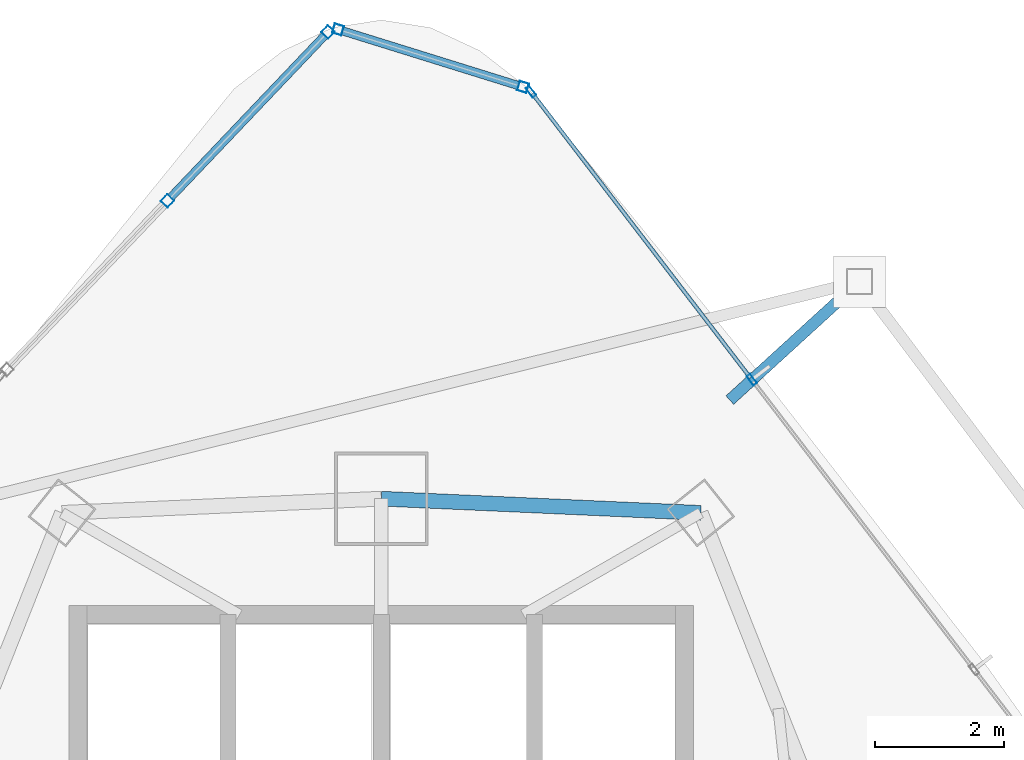
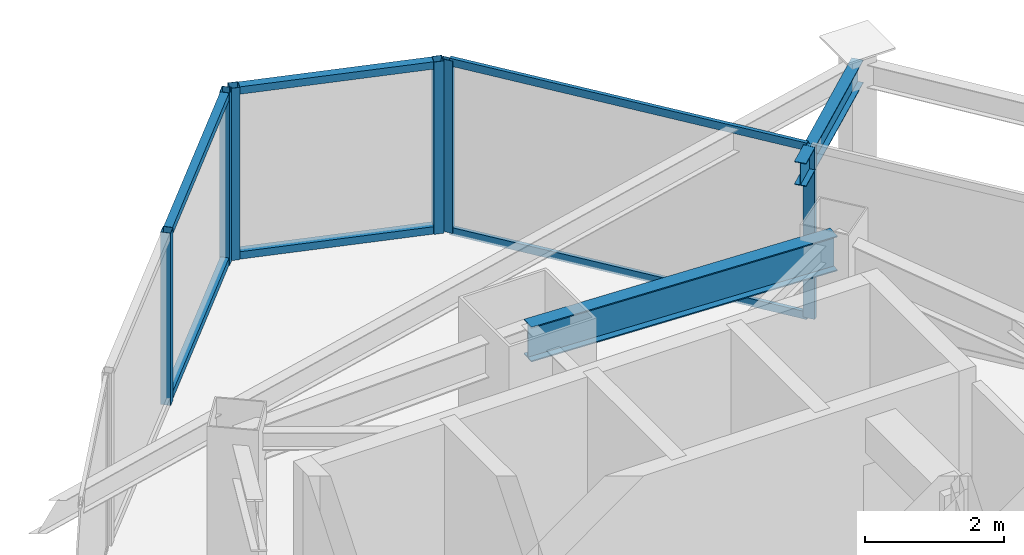
# One storey, part 22 of 30: 12 members, 2 beams, 3 elements without a shape of their own.
"""IFC4 building model written with IfcOpenShell, lengths in metres."""

import ifcopenshell
import ifcopenshell.guid

model = None  # the IFC model being written
_history = None  # IfcOwnerHistory: only IFC2X3 demands one
_inside = {}  # id of a spatial element -> (the spatial element, [elements in it])
_under = {}  # id of a project, library or spatial element -> (it, [spatial elements below it])
_declared = {}  # id of a project -> (the project, [libraries it declares])
_typed = {}  # id of a type object -> (the type object, [elements of that type])
_made_of = {}  # id of a material, layer set ... -> (it, [elements and type objects made of it])


def new_model(schema):
    """Start an empty IFC model of exactly this schema.

    Asked for "IFC4X3", IfcOpenShell would pick the latest addendum, in which some entities
    have other attributes; the version numbers below select the first issue.
    IFC2X3 requires an IfcOwnerHistory on every rooted entity: one is made here for all.
    """
    global model, _history
    if schema == "IFC4X3":
        model = ifcopenshell.file(schema_version=(4, 3, 0, 0))
    else:
        model = ifcopenshell.file(schema=schema)
    _inside.clear()
    _under.clear()
    _declared.clear()
    _typed.clear()
    _made_of.clear()
    _history = None
    if model.schema == "IFC2X3":
        org = make("IfcOrganization", Name="unknown")
        user = make(
            "IfcPersonAndOrganization",
            ThePerson=make("IfcPerson", FamilyName="unknown"),
            TheOrganization=org,
        )
        app = make(
            "IfcApplication",
            ApplicationDeveloper=org,
            Version="unknown",
            ApplicationFullName="unknown",
            ApplicationIdentifier="unknown",
        )
        _history = make(
            "IfcOwnerHistory",
            OwningUser=user,
            OwningApplication=app,
            ChangeAction="ADDED",
            CreationDate=0,
        )
    return model


def make(cls, **values):
    """One entity of the class cls with the attributes given. An attribute that is None is left unset."""
    return model.create_entity(
        cls, **{name: value for name, value in values.items() if value is not None}
    )


def rooted(cls, **values):
    """An entity with a GlobalId (a new one), such as an element, a storey or a relation."""
    return make(cls, GlobalId=ifcopenshell.guid.new(), OwnerHistory=_history, **values)


def si_unit(unit_type, name, prefix=None):
    """IfcSIUnit, for example si_unit("LENGTHUNIT", "METRE", prefix="MILLI")."""
    return make("IfcSIUnit", UnitType=unit_type, Prefix=prefix, Name=name)


def assignment(units):
    """IfcUnitAssignment: the units of a project."""
    return None if units is None else make("IfcUnitAssignment", Units=units)


def point(xyz):
    """IfcCartesianPoint."""
    return None if xyz is None else make("IfcCartesianPoint", Coordinates=xyz)


def direction(xyz):
    """IfcDirection."""
    return None if xyz is None else make("IfcDirection", DirectionRatios=xyz)


def frame(location, z_axis=None, x_axis=None):
    """IfcAxis2Placement3D, a coordinate frame: its origin and axes. An axis left out is left unset."""
    return make(
        "IfcAxis2Placement3D",
        Location=point(location),
        Axis=direction(z_axis),
        RefDirection=direction(x_axis),
    )


def frame_2d(location, x_axis=None):
    """IfcAxis2Placement2D, a coordinate frame in the plane: its origin and x axis."""
    return make(
        "IfcAxis2Placement2D", Location=point(location), RefDirection=direction(x_axis)
    )


def origin():
    """The frame at (0, 0, 0) with its axes left unset."""
    return frame((0.0, 0.0, 0.0))


def origin_2d():
    """The frame at (0, 0) in the plane with its x axis left unset."""
    return frame_2d((0.0, 0.0))


def place(relative_to, where):
    """IfcLocalPlacement: puts the frame where relative to a parent placement (None: the world)."""
    return make(
        "IfcLocalPlacement", PlacementRelTo=relative_to, RelativePlacement=where
    )


def context(
    kind, dimensions, precision=None, world=None, true_north=None, identifier=None
):
    """IfcGeometricRepresentationContext, for example the 3D "Model" context."""
    return make(
        "IfcGeometricRepresentationContext",
        ContextIdentifier=identifier,
        ContextType=kind,
        CoordinateSpaceDimension=dimensions,
        Precision=precision,
        WorldCoordinateSystem=world,
        TrueNorth=true_north,
    )


def subcontext(parent, identifier, kind, view, scale=None):
    """IfcGeometricRepresentationSubContext, for example "Body" below "Model"."""
    return make(
        "IfcGeometricRepresentationSubContext",
        ContextIdentifier=identifier,
        ContextType=kind,
        ParentContext=parent,
        TargetScale=scale,
        TargetView=view,
    )


def project(units=None, contexts=None):
    """IfcProject with its units and contexts."""
    return rooted(
        "IfcProject",
        Name="project",
        RepresentationContexts=contexts,
        UnitsInContext=assignment(units),
    )


def spatial(cls, under=None, at=None, **own):
    """A site, building, storey or space (cls), placed at a placement, below another one or the project."""
    s = rooted(cls, ObjectPlacement=at, **own)
    if under is not None:
        _under.setdefault(under.id(), (under, []))[1].append(s)
    return s


def profile(cls, at=None, kind="AREA", **sizes):
    """A parametric profile (cls). Its sizes go by their IFC names, for example OverallWidth=200.0."""
    return make(cls, ProfileType=kind, Position=at, **sizes)


def hollow_rectangle(**sizes):
    """IfcRectangleHollowProfileDef."""
    return profile("IfcRectangleHollowProfileDef", **sizes)


def i_section(**sizes):
    """IfcIShapeProfileDef."""
    return profile("IfcIShapeProfileDef", **sizes)


def extrude(swept, where, along, depth):
    """IfcExtrudedAreaSolid: the profile swept, set in the frame where, extruded along a direction by depth."""
    return make(
        "IfcExtrudedAreaSolid",
        SweptArea=swept,
        Position=where,
        ExtrudedDirection=direction(along),
        Depth=depth,
    )


def shape(context_of_items, identifier, shape_type, items):
    """IfcShapeRepresentation: the items that make up one representation, for example the "Body"."""
    return make(
        "IfcShapeRepresentation",
        ContextOfItems=context_of_items,
        RepresentationIdentifier=identifier,
        RepresentationType=shape_type,
        Items=items,
    )


def material(Name=None, Category=None):
    """IfcMaterial."""
    return make("IfcMaterial", Name=Name, Category=Category)


def layer(
    of_material, thickness, ventilated=None, Name=None, Category=None, Priority=None
):
    """IfcMaterialLayer: one layer of a wall or slab, of a material (None: an air gap)."""
    return make(
        "IfcMaterialLayer",
        Material=of_material,
        LayerThickness=thickness,
        IsVentilated=ventilated,
        Name=Name,
        Category=Category,
        Priority=Priority,
    )


def layer_set(layers, Name=None):
    """IfcMaterialLayerSet."""
    return make("IfcMaterialLayerSet", MaterialLayers=layers, LayerSetName=Name)


def material_profile(
    of_material, cross_section, Name=None, Category=None, Priority=None
):
    """IfcMaterialProfile: a cross section and its material."""
    return make(
        "IfcMaterialProfile",
        Name=Name,
        Material=of_material,
        Profile=cross_section,
        Priority=Priority,
        Category=Category,
    )


def profile_set(profiles, Name=None, composite=None):
    """IfcMaterialProfileSet."""
    return make(
        "IfcMaterialProfileSet",
        Name=Name,
        MaterialProfiles=profiles,
        CompositeProfile=composite,
    )


def made_of(thing, what):
    """Note that an element or type object is made of a material, layer set ...; save() writes the relation."""
    if what is not None:
        _made_of.setdefault(what.id(), (what, []))[1].append(thing)
    return thing


def type_object(cls, material=None, **own):
    """A type object (cls), such as IfcWallType, which elements share."""
    return made_of(rooted(cls, **own), material)


def element(
    cls,
    number,
    at=None,
    inside=None,
    cuts=None,
    type_object=None,
    material=None,
    context=None,
    identifier="Body",
    shape_type=None,
    held_by="IfcProductDefinitionShape",
    body=None,
    shapes=None,
    **own,
):
    """One element of the class cls, such as IfcWall. Its Tag is "e" and its number.

    at: its placement. inside: the storey or other place that contains it. cuts: it is an
    opening in that element (IfcRelVoidsElement). A single representation is given by context,
    identifier, shape_type and body (its items); several are given by shapes. held_by: the class
    of the entity that holds the representations. save() writes the other relations.
    """
    e = rooted(cls, Tag="e%d" % number, ObjectPlacement=at, **own)
    if body is not None:
        shapes = [shape(context, identifier, shape_type, body)]
    if shapes is not None:
        e.Representation = make(held_by, Representations=shapes)
    if inside is not None:
        _inside.setdefault(inside.id(), (inside, []))[1].append(e)
    if cuts is not None:
        rooted(
            "IfcRelVoidsElement", RelatingBuildingElement=cuts, RelatedOpeningElement=e
        )
    if type_object is not None:
        _typed.setdefault(type_object.id(), (type_object, []))[1].append(e)
    return made_of(e, material)


def aggregate(whole, parts):
    """IfcRelAggregates: a whole, such as a stair, and the parts it consists of."""
    return rooted("IfcRelAggregates", RelatingObject=whole, RelatedObjects=parts)


def save(model, path):
    """Write the relations noted so far, then the file.

    IfcRelAggregates (storeys below a building ...), IfcRelContainedInSpatialStructure (elements
    in a storey), IfcRelDefinesByType, IfcRelAssociatesMaterial and IfcRelDeclares: one each for
    every whole, place, type object, material and project.
    """
    for whole, parts in _under.values():
        aggregate(whole, parts)
    for where, things in _inside.values():
        rooted(
            "IfcRelContainedInSpatialStructure",
            RelatedElements=things,
            RelatingStructure=where,
        )
    for kind, things in _typed.values():
        rooted("IfcRelDefinesByType", RelatedObjects=things, RelatingType=kind)
    for what, things in _made_of.values():
        rooted("IfcRelAssociatesMaterial", RelatedObjects=things, RelatingMaterial=what)
    for by, libraries in _declared.values():
        rooted("IfcRelDeclares", RelatingContext=by, RelatedDefinitions=libraries)
    model.write(path)


model = new_model("IFC4")

# Units and contexts
model_context = context("Model", 3, precision=1e-05, world=origin(), true_north=direction((0.0, 1.0)))
body_context = subcontext(model_context, "Body", "Model", "MODEL_VIEW")
ifc_project = project(units=[si_unit("LENGTHUNIT", "METRE"), si_unit("AREAUNIT", "SQUARE_METRE"), si_unit("VOLUMEUNIT", "CUBIC_METRE"), si_unit("PLANEANGLEUNIT", "RADIAN"), si_unit("MASSUNIT", "GRAM", prefix="KILO")], contexts=[model_context])

# Site, building, storey
site_placement = place(None, origin())
site = spatial("IfcSite", under=ifc_project, at=site_placement, CompositionType="ELEMENT")
building_placement = place(site_placement, origin())
building = spatial("IfcBuilding", under=site, at=building_placement, Name="Orvanel Arch Residences", CompositionType="ELEMENT")
storey_placement = place(building_placement, frame((0.0, 0.0, 143.0)))
storey = spatial("IfcBuildingStorey", under=building, at=storey_placement, Name="L40", CompositionType="ELEMENT", Elevation=143.0)

# Curtain wall, members
ifc_material_1 = material(Name="Bronze-anodised aluminium AA6063-T6", Category="aluminium")
ifc_layer_1 = layer(ifc_material_1, 0.18994140625)
ifc_layer_set_1 = layer_set([ifc_layer_1], Name="Bronze-anodised aluminium AA6063-T6")
curtain_wall_type_1 = type_object("IfcCurtainWallType", Name="CW5-CRN-SYS", PredefinedType="NOTDEFINED", material=ifc_layer_set_1)
curtain_wall_1_placement = place(storey_placement, origin())
curtain_wall_1 = element("IfcCurtainWall", 1, at=curtain_wall_1_placement, inside=storey, type_object=curtain_wall_type_1, Name="L40 CW5-CRN-SYS Unitised Curtain Wall", PredefinedType="NOTDEFINED")
ifc_material_profile_1 = material_profile(ifc_material_1, hollow_rectangle(XDim=0.14990234375, YDim=0.14990234375, WallThickness=0.0048828125, at=origin_2d()), Name="ALU150x150x5")
ifc_profile_set_1 = profile_set([ifc_material_profile_1], Name="Bronze-anodised aluminium AA6063-T6")
member_type_1 = type_object("IfcMemberType", Name="MUL-150x150", PredefinedType="MULLION", material=ifc_profile_set_1)
member_1_placement = place(storey_placement, frame((35.1943359375, 47.7783203125, 0.0), z_axis=(0.0, 0.0, 1.0), x_axis=(-0.297027974658, -0.954868777514, 0.0)))
member_1 = element("IfcMember", 2, at=member_1_placement, type_object=member_type_1, Name="CW-S5 mullion 1", PredefinedType="MULLION", context=body_context, shape_type="SweptSolid", body=[
    extrude(hollow_rectangle(XDim=0.14990234375, YDim=0.14990234375, WallThickness=0.0048828125, at=origin_2d()), origin(), (0.0, 0.0, 1.0), 3.02001953125),
])
member_2_placement = place(storey_placement, frame((32.32861328125, 48.669677734375, 0.0), z_axis=(0.0, 0.0, 1.0), x_axis=(-0.297027974658, -0.954868777514, 0.0)))
member_2 = element("IfcMember", 3, at=member_2_placement, type_object=member_type_1, Name="CW-S5 mullion 2", PredefinedType="MULLION", context=body_context, shape_type="SweptSolid", body=[
    extrude(hollow_rectangle(XDim=0.14990234375, YDim=0.14990234375, WallThickness=0.0048828125, at=origin_2d()), origin(), (0.0, 0.0, 1.0), 3.02001953125),
])

curtain_wall_2_placement = place(storey_placement, origin())
curtain_wall_2 = element("IfcCurtainWall", 4, at=curtain_wall_2_placement, inside=storey, type_object=curtain_wall_type_1, Name="L40 CW5-CRN-SYS Unitised Curtain Wall", PredefinedType="NOTDEFINED")
member_3_placement = place(storey_placement, frame((32.17236328125, 48.629638671875, 0.0), z_axis=(0.0, 0.0, 1.0), x_axis=(0.724586146342, -0.689184239902, 0.0)))
member_3 = element("IfcMember", 5, at=member_3_placement, type_object=member_type_1, Name="CW-S5 mullion 1", PredefinedType="MULLION", context=body_context, shape_type="SweptSolid", body=[
    extrude(hollow_rectangle(XDim=0.14990234375, YDim=0.14990234375, WallThickness=0.0048828125, at=origin_2d()), origin(), (0.0, 0.0, 1.0), 3.02001953125),
])
member_4_placement = place(storey_placement, frame((29.68359375, 46.012939453125, 0.0), z_axis=(0.0, 0.0, 1.0), x_axis=(0.724586146342, -0.689184239902, 0.0)))
member_4 = element("IfcMember", 6, at=member_4_placement, type_object=member_type_1, Name="CW-S5 mullion 2", PredefinedType="MULLION", context=body_context, shape_type="SweptSolid", body=[
    extrude(hollow_rectangle(XDim=0.14990234375, YDim=0.14990234375, WallThickness=0.0048828125, at=origin_2d()), origin(), (0.0, 0.0, 1.0), 3.02001953125),
])

ifc_layer_2 = layer(ifc_material_1, 0.179931640625)
ifc_layer_set_2 = layer_set([ifc_layer_2], Name="Bronze-anodised aluminium AA6063-T6")
curtain_wall_type_2 = type_object("IfcCurtainWallType", Name="CW3-MID-SYS", PredefinedType="NOTDEFINED", material=ifc_layer_set_2)
curtain_wall_3_placement = place(storey_placement, origin())
curtain_wall_3 = element("IfcCurtainWall", 7, at=curtain_wall_3_placement, inside=storey, type_object=curtain_wall_type_2, Name="L40 CW3-MID-SYS Unitised Curtain Wall", PredefinedType="NOTDEFINED")
ifc_material_profile_2 = material_profile(ifc_material_1, hollow_rectangle(XDim=0.070068359375, YDim=0.179931640625, WallThickness=0.00439453125, at=origin_2d()), Name="ALU180x70x4.5")
ifc_profile_set_2 = profile_set([ifc_material_profile_2], Name="Bronze-anodised aluminium AA6063-T6")
member_type_2 = type_object("IfcMemberType", Name="MUL-180x70", PredefinedType="MULLION", material=ifc_profile_set_2)
member_5_placement = place(storey_placement, frame((38.741455078125, 43.242431640625, 0.0), z_axis=(0.0, 0.0, 1.0), x_axis=(-0.793544747169, -0.608511901478, 0.0)))
member_5 = element("IfcMember", 8, at=member_5_placement, type_object=member_type_2, Name="CW-S3 mullion 3", PredefinedType="MULLION", context=body_context, shape_type="SweptSolid", body=[
    extrude(hollow_rectangle(XDim=0.070068359375, YDim=0.179931640625, WallThickness=0.00439453125, at=origin_2d()), origin(), (0.0, 0.0, 1.0), 3.02001953125),
])
member_6_placement = place(storey_placement, frame((35.318359375, 47.706298828125, 0.0), z_axis=(0.0, 0.0, 1.0), x_axis=(-0.793544747169, -0.608511901478, 0.0)))
member_6 = element("IfcMember", 9, at=member_6_placement, type_object=member_type_2, Name="CW-S3 mullion 4", PredefinedType="MULLION", context=body_context, shape_type="SweptSolid", body=[
    extrude(hollow_rectangle(XDim=0.070068359375, YDim=0.179931640625, WallThickness=0.00439453125, at=origin_2d()), origin(), (0.0, 0.0, 1.0), 3.02001953125),
])

# Beams
ifc_material_2 = material(Name="Structural steel AS/NZS 3679.1 Grade 300 (300 MPa)", Category="steel")
ifc_material_profile_3 = material_profile(ifc_material_2, i_section(OverallWidth=0.177978515625, OverallDepth=0.406005859375, WebThickness=0.0078125, FlangeThickness=0.0126953125, at=origin_2d()), Name="410UB59.7")
ifc_profile_set_3 = profile_set([ifc_material_profile_3], Name="Structural steel AS/NZS 3679.1 Grade 300 (300 MPa)")
beam_type_1 = type_object("IfcBeamType", Name="OB-410UB-EXT", PredefinedType="SPANDREL", material=ifc_profile_set_3)
beam_1_placement = place(storey_placement, frame((38.39990234375, 42.926025390625, 2.81689453125), z_axis=(0.738339932118, 0.67442875431, 0.0), x_axis=(-0.67442875431, 0.738339932118, 0.0)))
element("IfcBeam", 10, at=beam_1_placement, inside=storey, type_object=beam_type_1, Name="L40 Outer Frame Radial Tie Beam 12", PredefinedType="SPANDREL", context=body_context, shape_type="SweptSolid", body=[
    extrude(i_section(OverallWidth=0.177978515625, OverallDepth=0.406005859375, WebThickness=0.0078125, FlangeThickness=0.0126953125, at=origin_2d()), origin(), (0.0, 0.0, 1.0), 2.7236328125),
])
ifc_material_profile_4 = material_profile(ifc_material_2, i_section(OverallWidth=0.22900390625, OverallDepth=0.612060546875, WebThickness=0.011962890625, FlangeThickness=0.01953125, at=origin_2d()), Name="610UB125")
ifc_profile_set_4 = profile_set([ifc_material_profile_4], Name="Structural steel AS/NZS 3679.1 Grade 300 (300 MPa)")
beam_type_2 = type_object("IfcBeamType", Name="SP-610UB", PredefinedType="SPANDREL", material=ifc_profile_set_4)
beam_2_placement = place(storey_placement, frame((37.949951171875, 41.177978515625, 2.714111328125), z_axis=(-0.999014049296, 0.044395149614, 0.0), x_axis=(-0.044395149614, -0.999014049296, 0.0)))
element("IfcBeam", 11, at=beam_2_placement, inside=storey, type_object=beam_type_2, Name="L40 Perimeter Spandrel Beam 14", PredefinedType="SPANDREL", context=body_context, shape_type="SweptSolid", body=[
    extrude(i_section(OverallWidth=0.22900390625, OverallDepth=0.612060546875, WebThickness=0.011962890625, FlangeThickness=0.01953125, at=origin_2d()), origin(), (0.0, 0.0, 1.0), 4.954833984375),
])

# Member
ifc_material_profile_5 = material_profile(ifc_material_1, hollow_rectangle(XDim=0.1298828125, YDim=0.1298828125, WallThickness=0.00439453125, at=origin_2d()), Name="ALU130x130x4.5")
ifc_profile_set_5 = profile_set([ifc_material_profile_5], Name="Bronze-anodised aluminium AA6063-T6")
member_type_3 = type_object("IfcMemberType", Name="TRN-130x130", PredefinedType="USERDEFINED", material=ifc_profile_set_5)
member_7_placement = place(storey_placement, frame((35.122802734375, 47.800537109375, 0.06494140625), z_axis=(-0.954869189117, 0.297026651457, 0.0), x_axis=(-0.297026651457, -0.954869189117, 0.0)))
member_7 = element("IfcMember", 12, at=member_7_placement, type_object=member_type_3, Name="CW-S5 transom 1.1", ObjectType="TRANSOM", PredefinedType="USERDEFINED", context=body_context, shape_type="SweptSolid", body=[
    extrude(hollow_rectangle(XDim=0.1298828125, YDim=0.1298828125, WallThickness=0.00439453125, at=origin_2d()), origin(), (0.0, 0.0, 1.0), 2.851318359375),
])

member_8_placement = place(storey_placement, frame((35.122802734375, 47.800537109375, 2.955078125), z_axis=(-0.954869189117, 0.297026651457, 0.0), x_axis=(-0.297026651457, -0.954869189117, 0.0)))
member_8 = element("IfcMember", 13, at=member_8_placement, type_object=member_type_3, Name="CW-S5 transom 1.2", ObjectType="TRANSOM", PredefinedType="USERDEFINED", context=body_context, shape_type="SweptSolid", body=[
    extrude(hollow_rectangle(XDim=0.1298828125, YDim=0.1298828125, WallThickness=0.00439453125, at=origin_2d()), origin(), (0.0, 0.0, 1.0), 2.851318359375),
])

aggregate(curtain_wall_1, [member_1, member_2, member_7, member_8])

member_9_placement = place(storey_placement, frame((32.12060546875, 48.5751953125, 0.06494140625), z_axis=(-0.689216475563, -0.724555484289, 0.0), x_axis=(0.724555484289, -0.689216475563, 0.0)))
member_9 = element("IfcMember", 14, at=member_9_placement, type_object=member_type_3, Name="CW-S5 transom 1.1", ObjectType="TRANSOM", PredefinedType="USERDEFINED", context=body_context, shape_type="SweptSolid", body=[
    extrude(hollow_rectangle(XDim=0.1298828125, YDim=0.1298828125, WallThickness=0.00439453125, at=origin_2d()), origin(), (0.0, 0.0, 1.0), 3.461181640625),
])

member_10_placement = place(storey_placement, frame((32.12060546875, 48.5751953125, 2.955078125), z_axis=(-0.689216475563, -0.724555484289, 0.0), x_axis=(0.724555484289, -0.689216475563, 0.0)))
member_10 = element("IfcMember", 15, at=member_10_placement, type_object=member_type_3, Name="CW-S5 transom 1.2", ObjectType="TRANSOM", PredefinedType="USERDEFINED", context=body_context, shape_type="SweptSolid", body=[
    extrude(hollow_rectangle(XDim=0.1298828125, YDim=0.1298828125, WallThickness=0.00439453125, at=origin_2d()), origin(), (0.0, 0.0, 1.0), 3.461181640625),
])

aggregate(curtain_wall_2, [member_3, member_4, member_9, member_10])

ifc_material_profile_6 = material_profile(ifc_material_1, hollow_rectangle(XDim=0.06005859375, YDim=0.135009765625, WallThickness=0.00390625, at=origin_2d()), Name="ALU135x60x4")
ifc_profile_set_6 = profile_set([ifc_material_profile_6], Name="Bronze-anodised aluminium AA6063-T6")
member_type_4 = type_object("IfcMemberType", Name="TRN-135x60", PredefinedType="USERDEFINED", material=ifc_profile_set_6)
member_11_placement = place(storey_placement, frame((38.719970703125, 43.27001953125, 0.030029296875), z_axis=(-0.608495202332, 0.793557552254, 0.0), x_axis=(-0.793557552254, -0.608495202332, 0.0)))
member_11 = element("IfcMember", 16, at=member_11_placement, type_object=member_type_4, Name="CW-S3 transom 3.1", ObjectType="TRANSOM", PredefinedType="USERDEFINED", context=body_context, shape_type="SweptSolid", body=[
    extrude(hollow_rectangle(XDim=0.06005859375, YDim=0.135009765625, WallThickness=0.00390625, at=origin_2d()), origin(), (0.0, 0.0, 1.0), 5.55517578125),
])

member_12_placement = place(storey_placement, frame((38.719970703125, 43.27001953125, 2.989990234375), z_axis=(-0.608495202332, 0.793557552254, 0.0), x_axis=(-0.793557552254, -0.608495202332, 0.0)))
member_12 = element("IfcMember", 17, at=member_12_placement, type_object=member_type_4, Name="CW-S3 transom 3.2", ObjectType="TRANSOM", PredefinedType="USERDEFINED", context=body_context, shape_type="SweptSolid", body=[
    extrude(hollow_rectangle(XDim=0.06005859375, YDim=0.135009765625, WallThickness=0.00390625, at=origin_2d()), origin(), (0.0, 0.0, 1.0), 5.55517578125),
])

aggregate(curtain_wall_3, [member_5, member_6, member_11, member_12])

save(model, "model.ifc")
